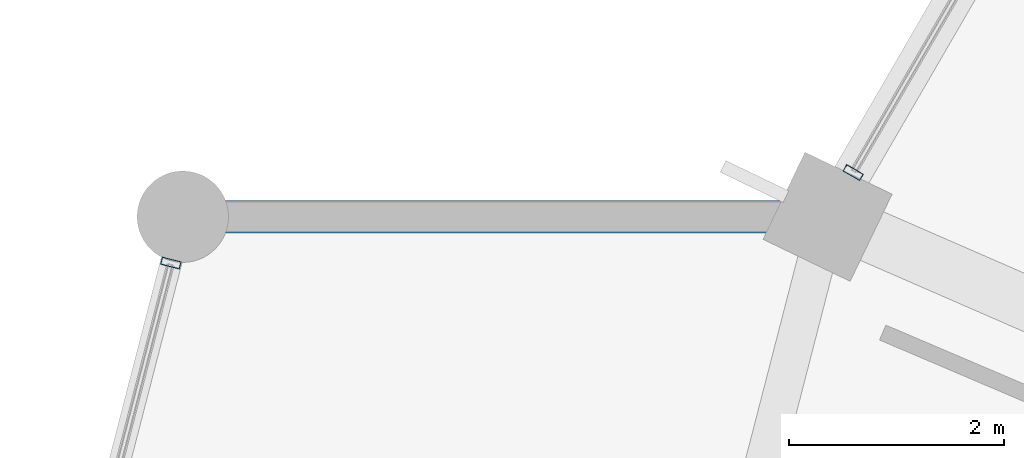
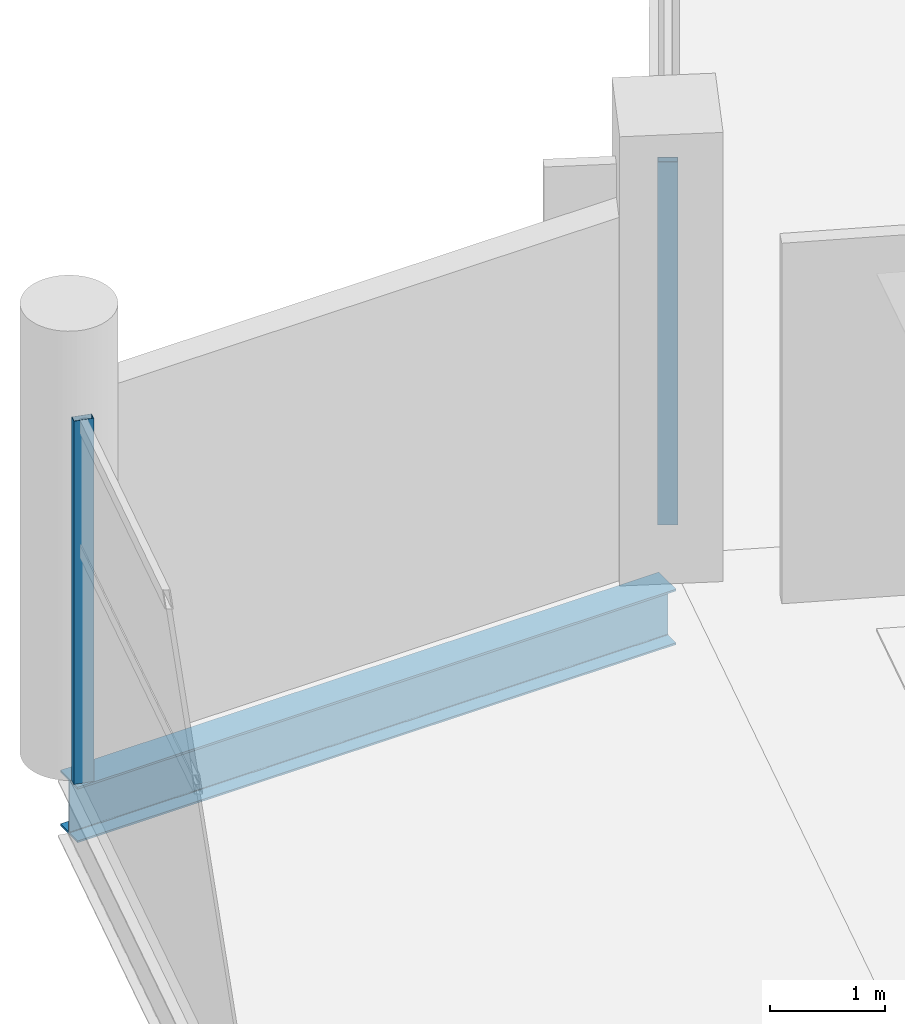
# One storey, part 37 of 156: 2 members, 1 beam, 2 elements without a shape of their own.
"""IFC4 building model written with IfcOpenShell, lengths in metres."""

from ifc_helpers import new_model, si_unit, direction, frame, origin, origin_2d, place, context, subcontext, project, spatial, hollow_rectangle, i_section, extrude, material, layer, layer_set, material_profile, profile_set, type_object, element, aggregate, save


model = new_model("IFC4")

# Units and contexts
model_context = context("Model", 3, precision=1e-05, world=origin(), true_north=direction((0.0, 1.0)))
body_context = subcontext(model_context, "Body", "Model", "MODEL_VIEW")
ifc_project = project(units=[si_unit("LENGTHUNIT", "METRE"), si_unit("AREAUNIT", "SQUARE_METRE"), si_unit("VOLUMEUNIT", "CUBIC_METRE"), si_unit("PLANEANGLEUNIT", "RADIAN"), si_unit("MASSUNIT", "GRAM", prefix="KILO")], contexts=[model_context])

# Site, building, storey
site_placement = place(None, origin())
site = spatial("IfcSite", under=ifc_project, at=site_placement, CompositionType="ELEMENT")
building_placement = place(site_placement, origin())
building = spatial("IfcBuilding", under=site, at=building_placement, Name="Kazemori Nagisa Stadium", CompositionType="ELEMENT")
storey_placement = place(building_placement, frame((0.0, 0.0, 5.780029296875)))
storey = spatial("IfcBuildingStorey", under=building, at=storey_placement, Name="L01", CompositionType="ELEMENT", Elevation=5.780029296875)

# Beam
ifc_material_1 = material(Name="Steel SN490B", Category="steel")
ifc_material_profile_1 = material_profile(ifc_material_1, i_section(OverallWidth=0.300048828125, OverallDepth=0.587890625, WebThickness=0.011962890625, FlangeThickness=0.02001953125, FilletRadius=0.012939453125, at=origin_2d()), Name="H-588x300x12x20")
ifc_profile_set_1 = profile_set([ifc_material_profile_1], Name="Steel SN490B")
beam_type = type_object("IfcBeamType", Name="Beam_BG-H588", PredefinedType="BEAM", material=ifc_profile_set_1)
beam_placement = place(storey_placement, frame((34.114990234375, 140.74951171875, -0.573974609375), z_axis=(-1.0, 0.0, 0.0), x_axis=(0.0, -1.0, 0.0)))
element("IfcBeam", 1, at=beam_placement, inside=storey, type_object=beam_type, Name="Boulevard radial girder BG-H588 L01 R4-13", PredefinedType="BEAM", context=body_context, shape_type="SweptSolid", body=[
    extrude(i_section(OverallWidth=0.300048828125, OverallDepth=0.587890625, WebThickness=0.011962890625, FlangeThickness=0.02001953125, FilletRadius=0.012939453125, at=origin_2d()), origin(), (0.0, 0.0, 1.0), 6.0),
])

# Curtain wall, member
ifc_material_2 = material(Name="Anodised aluminium 6063-T5", Category="aluminium")
ifc_layer_1 = layer(ifc_material_2, 0.179931640625, Name="Anodised aluminium 6063-T5", Category="aluminium")
ifc_layer_set_1 = layer_set([ifc_layer_1], Name="Anodised aluminium 6063-T5")
curtain_wall_type_1 = type_object("IfcCurtainWallType", Name="CW_L01R3_99", PredefinedType="USERDEFINED", material=ifc_layer_set_1)
curtain_wall_1_placement = place(storey_placement, origin())
curtain_wall_1 = element("IfcCurtainWall", 2, at=curtain_wall_1_placement, inside=storey, type_object=curtain_wall_type_1, Name="Unitised curtain wall CW-L01R3-99 L01", ObjectType="UNITISED CURTAIN WALL", PredefinedType="USERDEFINED")
ifc_material_3 = material(Name="Aluminium 6063-T5 anodised", Category="aluminium")
ifc_material_profile_2 = material_profile(ifc_material_3, hollow_rectangle(XDim=0.070068359375, YDim=0.179931640625, WallThickness=0.00390625, at=origin_2d()), Name="ALU-MULL-70x180x4")
ifc_profile_set_2 = profile_set([ifc_material_profile_2], Name="Aluminium 6063-T5 anodised")
member_type = type_object("IfcMemberType", Name="Mullion_M01", PredefinedType="MULLION", material=ifc_profile_set_2)
member_1_placement = place(storey_placement, frame((34.353271484375, 141.160400390625, 0.0), z_axis=(0.0, 0.0, 1.0), x_axis=(-0.501611590054, -0.865092950337, 0.0)))
member_1 = element("IfcMember", 3, at=member_1_placement, type_object=member_type, Name="Curtain wall mullion CW-L01R3-99-M4", PredefinedType="MULLION", context=body_context, shape_type="SweptSolid", body=[
    extrude(hollow_rectangle(XDim=0.070068359375, YDim=0.179931640625, WallThickness=0.00390625, at=origin_2d()), origin(), (0.0, 0.0, 1.0), 3.849853515625),
])
aggregate(curtain_wall_1, [member_1])

ifc_layer_2 = layer(ifc_material_2, 0.179931640625, Name="Anodised aluminium 6063-T5", Category="aluminium")
ifc_layer_set_2 = layer_set([ifc_layer_2], Name="Anodised aluminium 6063-T5")
curtain_wall_type_2 = type_object("IfcCurtainWallType", Name="CW_L01R3_96", PredefinedType="USERDEFINED", material=ifc_layer_set_2)
curtain_wall_2_placement = place(storey_placement, origin())
curtain_wall_2 = element("IfcCurtainWall", 4, at=curtain_wall_2_placement, inside=storey, type_object=curtain_wall_type_2, Name="Unitised curtain wall CW-L01R3-96 L01", ObjectType="UNITISED CURTAIN WALL", PredefinedType="USERDEFINED")
member_2_placement = place(storey_placement, frame((28.00390625, 140.318603515625, 0.0), z_axis=(0.0, 0.0, 1.0), x_axis=(-0.249964642418, -0.968254965152, 0.0)))
member_2 = element("IfcMember", 5, at=member_2_placement, type_object=member_type, Name="Curtain wall mullion CW-L01R3-96-M1", PredefinedType="MULLION", context=body_context, shape_type="SweptSolid", body=[
    extrude(hollow_rectangle(XDim=0.070068359375, YDim=0.179931640625, WallThickness=0.00390625, at=origin_2d()), origin(), (0.0, 0.0, 1.0), 3.849853515625),
])
aggregate(curtain_wall_2, [member_2])

save(model, "model.ifc")
